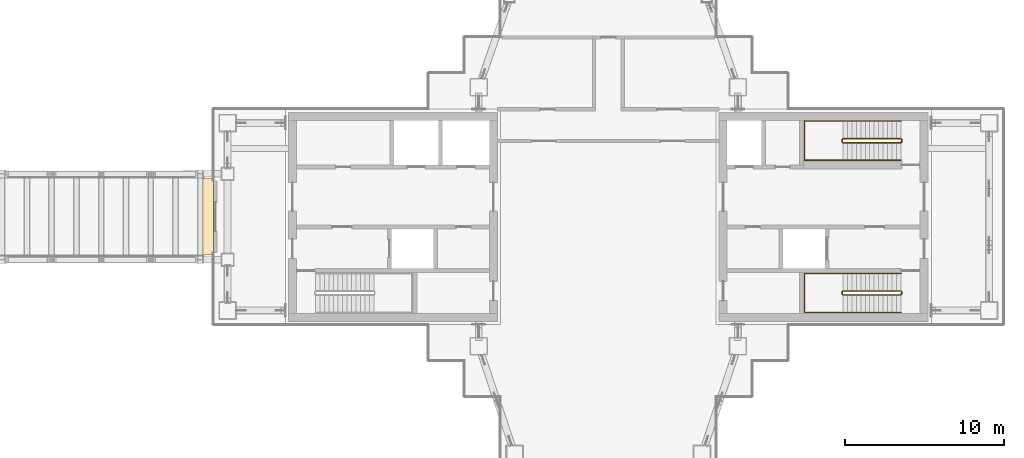
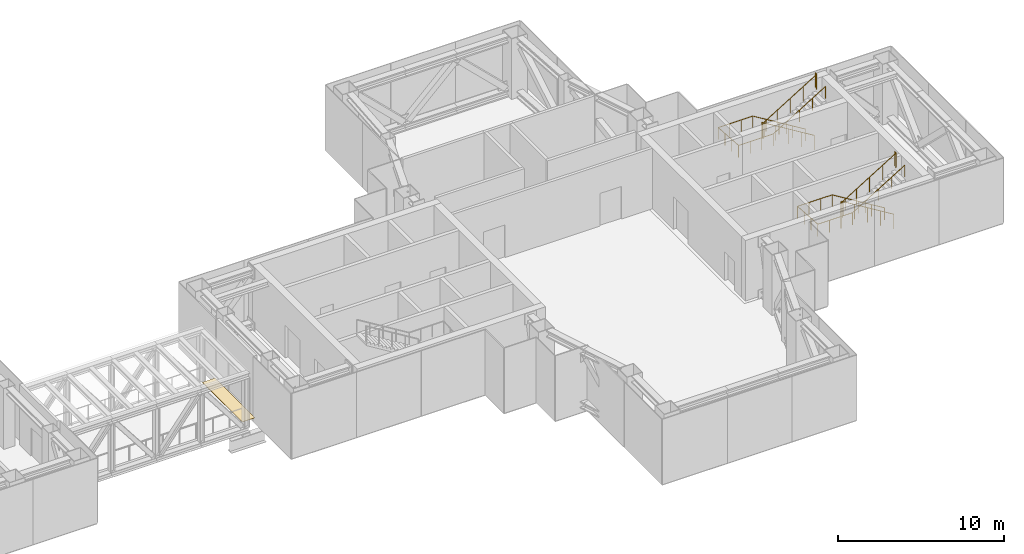
# One storey, part 21 of 21: 4 railings, 1 covering.
"""IFC4 building model written with IfcOpenShell, lengths in metres."""

from ifc_helpers import new_model, si_unit, direction, frame, origin, origin_2d, place, context, subcontext, project, spatial, polyline, circle, outline, extrude, material, layer, layer_set, type_object, element, save


model = new_model("IFC4")

# Units and contexts
model_context = context("Model", 3, precision=1e-05, world=origin(), true_north=direction((0.0, 1.0)))
body_context = subcontext(model_context, "Body", "Model", "MODEL_VIEW")
ifc_project = project(units=[si_unit("LENGTHUNIT", "METRE"), si_unit("AREAUNIT", "SQUARE_METRE"), si_unit("VOLUMEUNIT", "CUBIC_METRE"), si_unit("PLANEANGLEUNIT", "RADIAN"), si_unit("MASSUNIT", "GRAM", prefix="KILO")], contexts=[model_context])

# Site, building, storey
site_placement = place(None, origin())
site = spatial("IfcSite", under=ifc_project, at=site_placement, CompositionType="ELEMENT")
building_placement = place(site_placement, origin())
building = spatial("IfcBuilding", under=site, at=building_placement, Name="Shamsa Quay Exchange Towers", CompositionType="ELEMENT")
storey_placement = place(building_placement, frame((0.0, 0.0, 177.89990234375)))
storey = spatial("IfcBuildingStorey", under=building, at=storey_placement, Name="L42", CompositionType="ELEMENT", Elevation=177.89990234375)

# Railings
ifc_material_1 = material(Name="Stainless steel", Category="steel")
railing_type_1 = type_object("IfcRailingType", Name="STAIR GUARD 1100", PredefinedType="GUARDRAIL", material=ifc_material_1)
railing_1_placement = place(storey_placement, frame((52.10009765625, -4.64990234375, 0.171630859375)))
element("IfcRailing", 1, at=railing_1_placement, inside=storey, type_object=railing_type_1, Name="L42 ST5 stair guard 1", PredefinedType="GUARDRAIL", context=body_context, shape_type="SweptSolid", body=[
    extrude(circle(Radius=0.02392578125, at=origin_2d()), frame((0.0, 0.0, 1.076171875), z_axis=(-0.852865859571, 0.0, 0.52213008492), x_axis=(0.0, -1.0, 0.0)), (0.0, 0.0, 1.0), 4.26806640625),
    extrude(circle(Radius=0.02392578125, at=origin_2d()), frame((-3.64013671875, 0.0, 3.3046875), z_axis=(-0.707106781187, -0.707106781187, 0.0), x_axis=(0.707106781187, -0.707106781187, 0.0)), (0.0, 0.0, 1.0), 0.07080078125),
    extrude(circle(Radius=0.02392578125, at=origin_2d()), frame((-3.690185546875, -0.050048828125, 3.3046875), z_axis=(0.0, -1.0, 0.0), x_axis=(1.0, 0.0, 0.0)), (0.0, 0.0, 1.0), 0.150146484375),
    extrude(circle(Radius=0.02392578125, at=origin_2d()), frame((-3.690185546875, -0.2001953125, 3.3046875), z_axis=(0.270006937388, -0.268689830376, 0.924609122178), x_axis=(0.705375805398, 0.708833529934, 0.0)), (0.0, 0.0, 1.0), 0.185302734375),
    extrude(circle(Radius=0.02392578125, at=origin_2d()), frame((-3.64013671875, -0.25, 3.47607421875), z_axis=(0.852865859571, 0.0, 0.52213008492), x_axis=(0.0, 1.0, 0.0)), (0.0, 0.0, 1.0), 4.26806640625),
    extrude(circle(Radius=0.02392578125, at=origin_2d()), frame((0.0, -0.25, 5.70458984375), z_axis=(0.241699205484, 0.970351222016, 0.0), x_axis=(-0.970351222016, 0.241699205484, 0.0)), (0.0, 0.0, 1.0), 0.2060546875),
    extrude(circle(Radius=0.02392578125, at=origin_2d()), frame((0.0498046875, -0.050048828125, 5.70458984375), z_axis=(0.0, -1.0, 0.0), x_axis=(1.0, 0.0, 0.0)), (0.0, 0.0, 1.0), 0.150146484375),
    extrude(circle(Radius=0.02099609375, at=origin_2d()), origin(), (0.0, 0.0, 1.0), 1.052001953125),
    extrude(circle(Radius=0.02099609375, at=origin_2d()), frame((-0.91015625, 0.0, 0.55712890625)), (0.0, 0.0, 1.0), 1.052001953125),
    extrude(circle(Radius=0.02099609375, at=origin_2d()), frame((-1.820068359375, 0.0, 1.1142578125)), (0.0, 0.0, 1.0), 1.052001953125),
    extrude(circle(Radius=0.02099609375, at=origin_2d()), frame((-2.72998046875, 0.0, 1.67138671875)), (0.0, 0.0, 1.0), 1.052001953125),
    extrude(circle(Radius=0.02099609375, at=origin_2d()), frame((-3.64013671875, 0.0, 2.228515625)), (0.0, 0.0, 1.0), 1.052001953125),
    extrude(circle(Radius=0.02099609375, at=origin_2d()), frame((-3.690185546875, -0.050048828125, 2.228515625)), (0.0, 0.0, 1.0), 1.052001953125),
    extrude(circle(Radius=0.02099609375, at=origin_2d()), frame((-3.690185546875, -0.2001953125, 2.228515625)), (0.0, 0.0, 1.0), 1.052001953125),
    extrude(circle(Radius=0.02099609375, at=origin_2d()), frame((-3.64013671875, -0.25, 2.39990234375)), (0.0, 0.0, 1.0), 1.052001953125),
    extrude(circle(Radius=0.02099609375, at=origin_2d()), frame((-2.72998046875, -0.25, 2.95703125)), (0.0, 0.0, 1.0), 1.052001953125),
    extrude(circle(Radius=0.02099609375, at=origin_2d()), frame((-1.820068359375, -0.25, 3.51416015625)), (0.0, 0.0, 1.0), 1.052001953125),
    extrude(circle(Radius=0.02099609375, at=origin_2d()), frame((-0.91015625, -0.25, 4.0712890625)), (0.0, 0.0, 1.0), 1.052001953125),
    extrude(circle(Radius=0.02099609375, at=origin_2d()), frame((0.0, -0.25, 4.62841796875)), (0.0, 0.0, 1.0), 1.052001953125),
    extrude(circle(Radius=0.02099609375, at=origin_2d()), frame((0.0498046875, -0.050048828125, 4.62841796875)), (0.0, 0.0, 1.0), 1.052001953125),
    extrude(circle(Radius=0.02099609375, at=origin_2d()), frame((0.0498046875, -0.2001953125, 4.62841796875)), (0.0, 0.0, 1.0), 1.052001953125),
])
railing_2_placement = place(storey_placement, frame((52.10009765625, 4.89990234375, 0.171630859375)))
element("IfcRailing", 2, at=railing_2_placement, inside=storey, type_object=railing_type_1, Name="L42 ST6 stair guard 1", PredefinedType="GUARDRAIL", context=body_context, shape_type="SweptSolid", body=[
    extrude(circle(Radius=0.02392578125, at=origin_2d()), frame((0.0, 0.0, 1.076171875), z_axis=(-0.852865859571, 0.0, 0.52213008492), x_axis=(0.0, -1.0, 0.0)), (0.0, 0.0, 1.0), 4.26806640625),
    extrude(circle(Radius=0.02392578125, at=origin_2d()), frame((-3.64013671875, 0.0, 3.3046875), z_axis=(-0.708833529934, -0.705375805398, 0.0), x_axis=(0.705375805398, -0.708833529934, 0.0)), (0.0, 0.0, 1.0), 0.070556640625),
    extrude(circle(Radius=0.02392578125, at=origin_2d()), frame((-3.690185546875, -0.0498046875, 3.3046875), z_axis=(0.0, -1.0, 0.0), x_axis=(1.0, 0.0, 0.0)), (0.0, 0.0, 1.0), 0.150146484375),
    extrude(circle(Radius=0.02392578125, at=origin_2d()), frame((-3.690185546875, -0.199951171875, 3.3046875), z_axis=(0.269911200495, -0.269911200495, 0.924281281696), x_axis=(0.707106781187, 0.707106781187, 0.0)), (0.0, 0.0, 1.0), 0.185546875),
    extrude(circle(Radius=0.02392578125, at=origin_2d()), frame((-3.64013671875, -0.25, 3.47607421875), z_axis=(0.852865859571, 0.0, 0.52213008492), x_axis=(0.0, 1.0, 0.0)), (0.0, 0.0, 1.0), 4.26806640625),
    extrude(circle(Radius=0.02392578125, at=origin_2d()), frame((0.0, -0.25, 5.70458984375), z_axis=(0.24142163986, 0.970420317083, 0.0), x_axis=(-0.970420317083, 0.24142163986, 0.0)), (0.0, 0.0, 1.0), 0.206298828125),
    extrude(circle(Radius=0.02392578125, at=origin_2d()), frame((0.0498046875, -0.0498046875, 5.70458984375), z_axis=(0.0, -1.0, 0.0), x_axis=(1.0, 0.0, 0.0)), (0.0, 0.0, 1.0), 0.150146484375),
    extrude(circle(Radius=0.02099609375, at=origin_2d()), origin(), (0.0, 0.0, 1.0), 1.052001953125),
    extrude(circle(Radius=0.02099609375, at=origin_2d()), frame((-0.91015625, 0.0, 0.55712890625)), (0.0, 0.0, 1.0), 1.052001953125),
    extrude(circle(Radius=0.02099609375, at=origin_2d()), frame((-1.820068359375, 0.0, 1.1142578125)), (0.0, 0.0, 1.0), 1.052001953125),
    extrude(circle(Radius=0.02099609375, at=origin_2d()), frame((-2.72998046875, 0.0, 1.67138671875)), (0.0, 0.0, 1.0), 1.052001953125),
    extrude(circle(Radius=0.02099609375, at=origin_2d()), frame((-3.64013671875, 0.0, 2.228515625)), (0.0, 0.0, 1.0), 1.052001953125),
    extrude(circle(Radius=0.02099609375, at=origin_2d()), frame((-3.690185546875, -0.0498046875, 2.228515625)), (0.0, 0.0, 1.0), 1.052001953125),
    extrude(circle(Radius=0.02099609375, at=origin_2d()), frame((-3.690185546875, -0.199951171875, 2.228515625)), (0.0, 0.0, 1.0), 1.052001953125),
    extrude(circle(Radius=0.02099609375, at=origin_2d()), frame((-3.64013671875, -0.25, 2.39990234375)), (0.0, 0.0, 1.0), 1.052001953125),
    extrude(circle(Radius=0.02099609375, at=origin_2d()), frame((-2.72998046875, -0.25, 2.95703125)), (0.0, 0.0, 1.0), 1.052001953125),
    extrude(circle(Radius=0.02099609375, at=origin_2d()), frame((-1.820068359375, -0.25, 3.51416015625)), (0.0, 0.0, 1.0), 1.052001953125),
    extrude(circle(Radius=0.02099609375, at=origin_2d()), frame((-0.91015625, -0.25, 4.0712890625)), (0.0, 0.0, 1.0), 1.052001953125),
    extrude(circle(Radius=0.02099609375, at=origin_2d()), frame((0.0, -0.25, 4.62841796875)), (0.0, 0.0, 1.0), 1.052001953125),
    extrude(circle(Radius=0.02099609375, at=origin_2d()), frame((0.0498046875, -0.0498046875, 4.62841796875)), (0.0, 0.0, 1.0), 1.052001953125),
    extrude(circle(Radius=0.02099609375, at=origin_2d()), frame((0.0498046875, -0.199951171875, 4.62841796875)), (0.0, 0.0, 1.0), 1.052001953125),
])
railing_type_2 = type_object("IfcRailingType", Name="STAIR HANDRAIL 900", PredefinedType="HANDRAIL", material=ifc_material_1)
railing_3_placement = place(storey_placement, frame((52.10009765625, -3.550048828125, 0.171630859375)))
element("IfcRailing", 3, at=railing_3_placement, inside=storey, type_object=railing_type_2, Name="L42 ST5 stair handrail 1", PredefinedType="HANDRAIL", context=body_context, shape_type="SweptSolid", body=[
    extrude(circle(Radius=0.02392578125, at=origin_2d()), frame((0.0, 0.0, 0.8759765625), z_axis=(-0.852865859571, 0.0, 0.52213008492), x_axis=(0.0, -1.0, 0.0)), (0.0, 0.0, 1.0), 4.26806640625),
    extrude(circle(Radius=0.02392578125, at=origin_2d()), frame((-3.64013671875, 0.0, 3.1044921875), z_axis=(-1.0, 0.0, 0.0), x_axis=(0.0, -1.0, 0.0)), (0.0, 0.0, 1.0), 2.409912109375),
    extrude(circle(Radius=0.02392578125, at=origin_2d()), frame((-6.050048828125, 0.0, 3.1044921875), z_axis=(0.0, -0.99756208224, 0.069784612031), x_axis=(1.0, 0.0, 0.0)), (0.0, 0.0, 1.0), 2.4560546875),
    extrude(circle(Radius=0.02392578125, at=origin_2d()), frame((-6.050048828125, -2.449951171875, 3.27587890625), z_axis=(1.0, 0.0, 0.0), x_axis=(0.0, 1.0, 0.0)), (0.0, 0.0, 1.0), 2.409912109375),
    extrude(circle(Radius=0.02392578125, at=origin_2d()), frame((-3.64013671875, -2.449951171875, 3.27587890625), z_axis=(0.852865859571, 0.0, 0.52213008492), x_axis=(0.0, 1.0, 0.0)), (0.0, 0.0, 1.0), 4.26806640625),
    extrude(circle(Radius=0.02099609375, at=origin_2d()), origin(), (0.0, 0.0, 1.0), 0.851806640625),
    extrude(circle(Radius=0.02099609375, at=origin_2d()), frame((-0.91015625, 0.0, 0.55712890625)), (0.0, 0.0, 1.0), 0.851806640625),
    extrude(circle(Radius=0.02099609375, at=origin_2d()), frame((-1.820068359375, 0.0, 1.1142578125)), (0.0, 0.0, 1.0), 0.851806640625),
    extrude(circle(Radius=0.02099609375, at=origin_2d()), frame((-2.72998046875, 0.0, 1.67138671875)), (0.0, 0.0, 1.0), 0.851806640625),
    extrude(circle(Radius=0.02099609375, at=origin_2d()), frame((-3.64013671875, 0.0, 2.228515625)), (0.0, 0.0, 1.0), 0.851806640625),
    extrude(circle(Radius=0.02099609375, at=origin_2d()), frame((-4.443359375, 0.0, 2.228515625)), (0.0, 0.0, 1.0), 0.851806640625),
    extrude(circle(Radius=0.02099609375, at=origin_2d()), frame((-5.246826171875, 0.0, 2.228515625)), (0.0, 0.0, 1.0), 0.851806640625),
    extrude(circle(Radius=0.02099609375, at=origin_2d()), frame((-6.050048828125, 0.0, 2.228515625)), (0.0, 0.0, 1.0), 0.851806640625),
    extrude(circle(Radius=0.02099609375, at=origin_2d()), frame((-6.050048828125, -0.816650390625, 2.28564453125)), (0.0, 0.0, 1.0), 0.851806640625),
    extrude(circle(Radius=0.02099609375, at=origin_2d()), frame((-6.050048828125, -1.63330078125, 2.3427734375)), (0.0, 0.0, 1.0), 0.851806640625),
    extrude(circle(Radius=0.02099609375, at=origin_2d()), frame((-6.050048828125, -2.449951171875, 2.39990234375)), (0.0, 0.0, 1.0), 0.851806640625),
    extrude(circle(Radius=0.02099609375, at=origin_2d()), frame((-5.246826171875, -2.449951171875, 2.39990234375)), (0.0, 0.0, 1.0), 0.851806640625),
    extrude(circle(Radius=0.02099609375, at=origin_2d()), frame((-4.443359375, -2.449951171875, 2.39990234375)), (0.0, 0.0, 1.0), 0.851806640625),
    extrude(circle(Radius=0.02099609375, at=origin_2d()), frame((-3.64013671875, -2.449951171875, 2.39990234375)), (0.0, 0.0, 1.0), 0.851806640625),
    extrude(circle(Radius=0.02099609375, at=origin_2d()), frame((-2.72998046875, -2.449951171875, 2.95703125)), (0.0, 0.0, 1.0), 0.851806640625),
    extrude(circle(Radius=0.02099609375, at=origin_2d()), frame((-1.820068359375, -2.449951171875, 3.51416015625)), (0.0, 0.0, 1.0), 0.851806640625),
    extrude(circle(Radius=0.02099609375, at=origin_2d()), frame((-0.91015625, -2.449951171875, 4.0712890625)), (0.0, 0.0, 1.0), 0.851806640625),
    extrude(circle(Radius=0.02099609375, at=origin_2d()), frame((0.0, -2.449951171875, 4.62841796875)), (0.0, 0.0, 1.0), 0.851806640625),
])
railing_4_placement = place(storey_placement, frame((52.10009765625, 6.0, 0.171630859375)))
element("IfcRailing", 4, at=railing_4_placement, inside=storey, type_object=railing_type_2, Name="L42 ST6 stair handrail 1", PredefinedType="HANDRAIL", context=body_context, shape_type="SweptSolid", body=[
    extrude(circle(Radius=0.02392578125, at=origin_2d()), frame((0.0, 0.0, 0.8759765625), z_axis=(-0.852865859571, 0.0, 0.52213008492), x_axis=(0.0, -1.0, 0.0)), (0.0, 0.0, 1.0), 4.26806640625),
    extrude(circle(Radius=0.02392578125, at=origin_2d()), frame((-3.64013671875, 0.0, 3.1044921875), z_axis=(-1.0, 0.0, 0.0), x_axis=(0.0, -1.0, 0.0)), (0.0, 0.0, 1.0), 2.409912109375),
    extrude(circle(Radius=0.02392578125, at=origin_2d()), frame((-6.050048828125, 0.0, 3.1044921875), z_axis=(0.0, -0.99756208224, 0.069784612031), x_axis=(1.0, 0.0, 0.0)), (0.0, 0.0, 1.0), 2.4560546875),
    extrude(circle(Radius=0.02392578125, at=origin_2d()), frame((-6.050048828125, -2.449951171875, 3.27587890625), z_axis=(1.0, 0.0, 0.0), x_axis=(0.0, 1.0, 0.0)), (0.0, 0.0, 1.0), 2.409912109375),
    extrude(circle(Radius=0.02392578125, at=origin_2d()), frame((-3.64013671875, -2.449951171875, 3.27587890625), z_axis=(0.852865859571, 0.0, 0.52213008492), x_axis=(0.0, 1.0, 0.0)), (0.0, 0.0, 1.0), 4.26806640625),
    extrude(circle(Radius=0.02099609375, at=origin_2d()), origin(), (0.0, 0.0, 1.0), 0.851806640625),
    extrude(circle(Radius=0.02099609375, at=origin_2d()), frame((-0.91015625, 0.0, 0.55712890625)), (0.0, 0.0, 1.0), 0.851806640625),
    extrude(circle(Radius=0.02099609375, at=origin_2d()), frame((-1.820068359375, 0.0, 1.1142578125)), (0.0, 0.0, 1.0), 0.851806640625),
    extrude(circle(Radius=0.02099609375, at=origin_2d()), frame((-2.72998046875, 0.0, 1.67138671875)), (0.0, 0.0, 1.0), 0.851806640625),
    extrude(circle(Radius=0.02099609375, at=origin_2d()), frame((-3.64013671875, 0.0, 2.228515625)), (0.0, 0.0, 1.0), 0.851806640625),
    extrude(circle(Radius=0.02099609375, at=origin_2d()), frame((-4.443359375, 0.0, 2.228515625)), (0.0, 0.0, 1.0), 0.851806640625),
    extrude(circle(Radius=0.02099609375, at=origin_2d()), frame((-5.246826171875, 0.0, 2.228515625)), (0.0, 0.0, 1.0), 0.851806640625),
    extrude(circle(Radius=0.02099609375, at=origin_2d()), frame((-6.050048828125, 0.0, 2.228515625)), (0.0, 0.0, 1.0), 0.851806640625),
    extrude(circle(Radius=0.02099609375, at=origin_2d()), frame((-6.050048828125, -0.816650390625, 2.28564453125)), (0.0, 0.0, 1.0), 0.851806640625),
    extrude(circle(Radius=0.02099609375, at=origin_2d()), frame((-6.050048828125, -1.63330078125, 2.3427734375)), (0.0, 0.0, 1.0), 0.851806640625),
    extrude(circle(Radius=0.02099609375, at=origin_2d()), frame((-6.050048828125, -2.449951171875, 2.39990234375)), (0.0, 0.0, 1.0), 0.851806640625),
    extrude(circle(Radius=0.02099609375, at=origin_2d()), frame((-5.246826171875, -2.449951171875, 2.39990234375)), (0.0, 0.0, 1.0), 0.851806640625),
    extrude(circle(Radius=0.02099609375, at=origin_2d()), frame((-4.443359375, -2.449951171875, 2.39990234375)), (0.0, 0.0, 1.0), 0.851806640625),
    extrude(circle(Radius=0.02099609375, at=origin_2d()), frame((-3.64013671875, -2.449951171875, 2.39990234375)), (0.0, 0.0, 1.0), 0.851806640625),
    extrude(circle(Radius=0.02099609375, at=origin_2d()), frame((-2.72998046875, -2.449951171875, 2.95703125)), (0.0, 0.0, 1.0), 0.851806640625),
    extrude(circle(Radius=0.02099609375, at=origin_2d()), frame((-1.820068359375, -2.449951171875, 3.51416015625)), (0.0, 0.0, 1.0), 0.851806640625),
    extrude(circle(Radius=0.02099609375, at=origin_2d()), frame((-0.91015625, -2.449951171875, 4.0712890625)), (0.0, 0.0, 1.0), 0.851806640625),
    extrude(circle(Radius=0.02099609375, at=origin_2d()), frame((0.0, -2.449951171875, 4.62841796875)), (0.0, 0.0, 1.0), 0.851806640625),
])

# Covering
ifc_material_2 = material(Name="Steel S355 chequer plate", Category="steel")
ifc_layer = layer(ifc_material_2, 0.011962890625)
ifc_layer_set = layer_set([ifc_layer], Name="Skybridge joint cover plate 12")
covering_type = type_object("IfcCoveringType", Name="Skybridge joint cover plate 12", PredefinedType="FLOORING", material=ifc_layer_set)
covering_placement = place(storey_placement, origin())
element("IfcCovering", 5, at=covering_placement, inside=storey, type_object=covering_type, Name="Skybridge BR3 joint cover plate", PredefinedType="FLOORING", context=body_context, shape_type="SweptSolid", body=[
    extrude(outline(polyline([(8.10009765625, -2.40380859375), (9.0, -2.40380859375), (9.0, 2.40380859375), (8.10009765625, 2.40380859375), (8.10009765625, -2.40380859375)])), origin(), (0.0, 0.0, 1.0), 0.01220703125),
])

save(model, "model.ifc")
